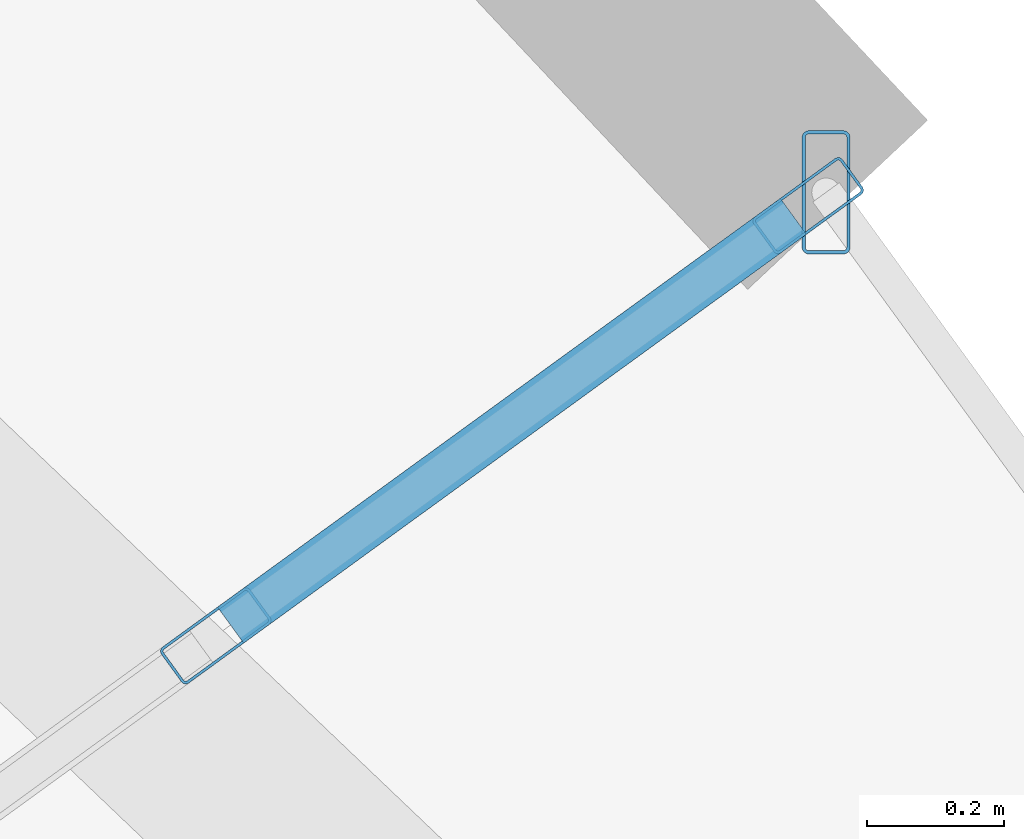
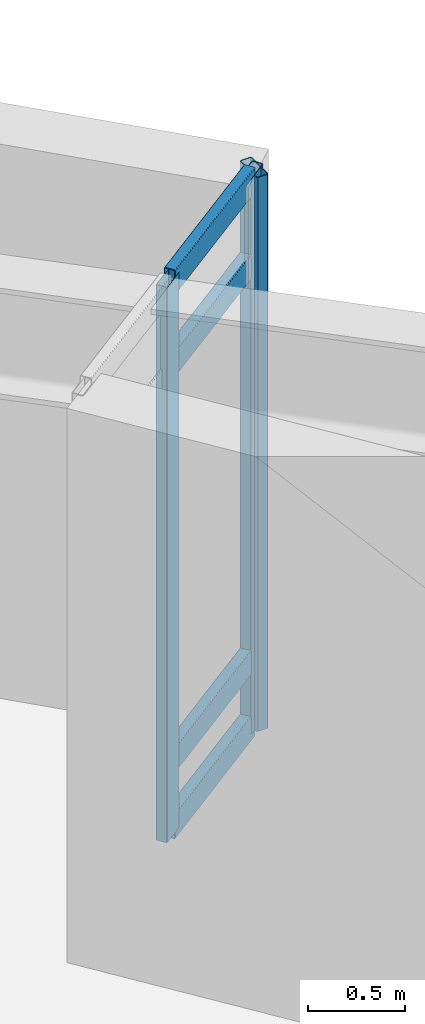
# One storey, part 6 of 15: 7 members, 1 element without a shape of its own.
"""IFC4 building model written with IfcOpenShell, lengths in metres."""

from ifc_helpers import new_model, si_unit, direction, frame, origin, origin_2d, place, context, subcontext, project, spatial, hollow_rectangle, extrude, material, layer, layer_set, material_profile, profile_set, type_object, element, aggregate, save


model = new_model("IFC4")

# Units and contexts
model_context = context("Model", 3, precision=1e-05, world=origin(), true_north=direction((0.0, 1.0)))
body_context = subcontext(model_context, "Body", "Model", "MODEL_VIEW")
ifc_project = project(units=[si_unit("LENGTHUNIT", "METRE"), si_unit("AREAUNIT", "SQUARE_METRE"), si_unit("VOLUMEUNIT", "CUBIC_METRE"), si_unit("PLANEANGLEUNIT", "RADIAN"), si_unit("MASSUNIT", "GRAM", prefix="KILO")], contexts=[model_context])

# Site, building, storey
site_placement = place(None, origin())
site = spatial("IfcSite", under=ifc_project, at=site_placement, CompositionType="ELEMENT")
building_placement = place(site_placement, origin())
building = spatial("IfcBuilding", under=site, at=building_placement, Name="Ndelora Gate Hotel", CompositionType="ELEMENT")
storey_placement = place(building_placement, frame((0.0, 0.0, 53.0)))
storey = spatial("IfcBuildingStorey", under=building, at=storey_placement, Name="L12", CompositionType="ELEMENT", Elevation=53.0)

# Curtain wall, members
ifc_material_1 = material(Name="Bronze Anodised Unitised Aluminium and Low-E Glass", Category="aluminium")
ifc_layer = layer(ifc_material_1, 0.199951171875)
ifc_layer_set = layer_set([ifc_layer], Name="Bronze Anodised Unitised Aluminium and Low-E Glass")
curtain_wall_type = type_object("IfcCurtainWallType", Name="CW-SYS-3", PredefinedType="NOTDEFINED", material=ifc_layer_set)
curtain_wall_placement = place(storey_placement, origin())
curtain_wall = element("IfcCurtainWall", 1, at=curtain_wall_placement, inside=storey, type_object=curtain_wall_type, Name="L12 Sky-Garden Loggia Side Curtain Wall CW3-2", PredefinedType="NOTDEFINED")
ifc_material_2 = material(Name="Bronze Anodised Aluminium 6063-T6", Category="aluminium")
ifc_material_profile_1 = material_profile(ifc_material_2, hollow_rectangle(XDim=0.06494140625, YDim=0.159912109375, WallThickness=0.00390625, InnerFilletRadius=0.00390625, OuterFilletRadius=0.008056640625, at=origin_2d()), Name="ALU 160x65x4")
ifc_profile_set_1 = profile_set([ifc_material_profile_1], Name="Bronze Anodised Aluminium 6063-T6")
member_type_1 = type_object("IfcMemberType", Name="MB-CW-MUL150", PredefinedType="MULLION", material=ifc_profile_set_1)
member_1_placement = place(storey_placement, frame((11.23828125, 14.592529296875, -0.00390625), z_axis=(0.0, 0.0, 1.0), x_axis=(0.587785135859, -0.809017078969, 0.0)))
member_1 = element("IfcMember", 2, at=member_1_placement, type_object=member_type_1, Name="CW3 mullion 1", PredefinedType="MULLION", context=body_context, shape_type="SweptSolid", body=[
    extrude(hollow_rectangle(XDim=0.06494140625, YDim=0.159912109375, WallThickness=0.00390625, InnerFilletRadius=0.00390625, OuterFilletRadius=0.008056640625, at=origin_2d()), origin(), (0.0, 0.0, 1.0), 3.5078125),
])
member_2_placement = place(storey_placement, frame((10.37451171875, 13.965087890625, -0.00390625), z_axis=(0.0, 0.0, 1.0), x_axis=(0.587785135859, -0.809017078969, 0.0)))
member_2 = element("IfcMember", 3, at=member_2_placement, type_object=member_type_1, Name="CW3 mullion 2", PredefinedType="MULLION", context=body_context, shape_type="SweptSolid", body=[
    extrude(hollow_rectangle(XDim=0.06494140625, YDim=0.159912109375, WallThickness=0.00390625, InnerFilletRadius=0.00390625, OuterFilletRadius=0.008056640625, at=origin_2d()), origin(), (0.0, 0.0, 1.0), 3.5078125),
])
ifc_material_profile_2 = material_profile(ifc_material_2, hollow_rectangle(XDim=0.070068359375, YDim=0.179931640625, WallThickness=0.0048828125, InnerFilletRadius=0.0048828125, OuterFilletRadius=0.010009765625, at=origin_2d()), Name="ALU 180x70x5")
ifc_profile_set_2 = profile_set([ifc_material_profile_2], Name="Bronze Anodised Aluminium 6063-T6")
member_type_2 = type_object("IfcMemberType", Name="MB-CW-MUL180", PredefinedType="MULLION", material=ifc_profile_set_2)
member_3_placement = place(storey_placement, frame((11.264404296875, 14.61181640625, 0.0), z_axis=(0.0, 0.0, 1.0), x_axis=(1.0, 0.0, 0.0)))
member_3 = element("IfcMember", 4, at=member_3_placement, type_object=member_type_2, Name="L12 Sky-Garden Loggia Corner Mullion Post 2", PredefinedType="MULLION", context=body_context, shape_type="SweptSolid", body=[
    extrude(hollow_rectangle(XDim=0.070068359375, YDim=0.179931640625, WallThickness=0.0048828125, InnerFilletRadius=0.0048828125, OuterFilletRadius=0.010009765625, at=origin_2d()), origin(), (0.0, 0.0, 1.0), 3.5),
])
ifc_material_profile_3 = material_profile(ifc_material_2, hollow_rectangle(XDim=0.06494140625, YDim=0.159912109375, WallThickness=0.00390625, InnerFilletRadius=0.00390625, OuterFilletRadius=0.008056640625, at=origin_2d()), Name="ALU 160x65x4")
ifc_profile_set_3 = profile_set([ifc_material_profile_3], Name="Bronze Anodised Aluminium 6063-T6")
member_type_3 = type_object("IfcMemberType", Name="MB-CW-TRN150", PredefinedType="USERDEFINED", material=ifc_profile_set_3)
member_4_placement = place(storey_placement, frame((11.216796875, 14.576904296875, 0.032470703125), z_axis=(-0.809089769205, -0.58768507329, 0.0), x_axis=(0.58768507329, -0.809089769205, 0.0)))
member_4 = element("IfcMember", 5, at=member_4_placement, type_object=member_type_3, Name="CW3 transom 1.1", ObjectType="TRANSOM", PredefinedType="USERDEFINED", context=body_context, shape_type="SweptSolid", body=[
    extrude(hollow_rectangle(XDim=0.06494140625, YDim=0.159912109375, WallThickness=0.00390625, InnerFilletRadius=0.00390625, OuterFilletRadius=0.008056640625, at=origin_2d()), origin(), (0.0, 0.0, 1.0), 1.014404296875),
])
member_5_placement = place(storey_placement, frame((11.216796875, 14.576904296875, 0.449951171875), z_axis=(-0.809089769205, -0.58768507329, 0.0), x_axis=(0.58768507329, -0.809089769205, 0.0)))
member_5 = element("IfcMember", 6, at=member_5_placement, type_object=member_type_3, Name="CW3 transom 1.2", ObjectType="TRANSOM", PredefinedType="USERDEFINED", context=body_context, shape_type="SweptSolid", body=[
    extrude(hollow_rectangle(XDim=0.06494140625, YDim=0.159912109375, WallThickness=0.00390625, InnerFilletRadius=0.00390625, OuterFilletRadius=0.008056640625, at=origin_2d()), origin(), (0.0, 0.0, 1.0), 1.014404296875),
])
member_6_placement = place(storey_placement, frame((11.216796875, 14.576904296875, 2.949951171875), z_axis=(-0.809089769205, -0.58768507329, 0.0), x_axis=(0.58768507329, -0.809089769205, 0.0)))
member_6 = element("IfcMember", 7, at=member_6_placement, type_object=member_type_3, Name="CW3 transom 1.3", ObjectType="TRANSOM", PredefinedType="USERDEFINED", context=body_context, shape_type="SweptSolid", body=[
    extrude(hollow_rectangle(XDim=0.06494140625, YDim=0.159912109375, WallThickness=0.00390625, InnerFilletRadius=0.00390625, OuterFilletRadius=0.008056640625, at=origin_2d()), origin(), (0.0, 0.0, 1.0), 1.014404296875),
])
member_7_placement = place(storey_placement, frame((11.216796875, 14.576904296875, 3.467529296875), z_axis=(-0.809089769205, -0.58768507329, 0.0), x_axis=(0.58768507329, -0.809089769205, 0.0)))
member_7 = element("IfcMember", 8, at=member_7_placement, type_object=member_type_3, Name="CW3 transom 1.4", ObjectType="TRANSOM", PredefinedType="USERDEFINED", context=body_context, shape_type="SweptSolid", body=[
    extrude(hollow_rectangle(XDim=0.06494140625, YDim=0.159912109375, WallThickness=0.00390625, InnerFilletRadius=0.00390625, OuterFilletRadius=0.008056640625, at=origin_2d()), origin(), (0.0, 0.0, 1.0), 1.014404296875),
])
aggregate(curtain_wall, [member_1, member_2, member_4, member_5, member_6, member_7, member_3])

save(model, "model.ifc")
